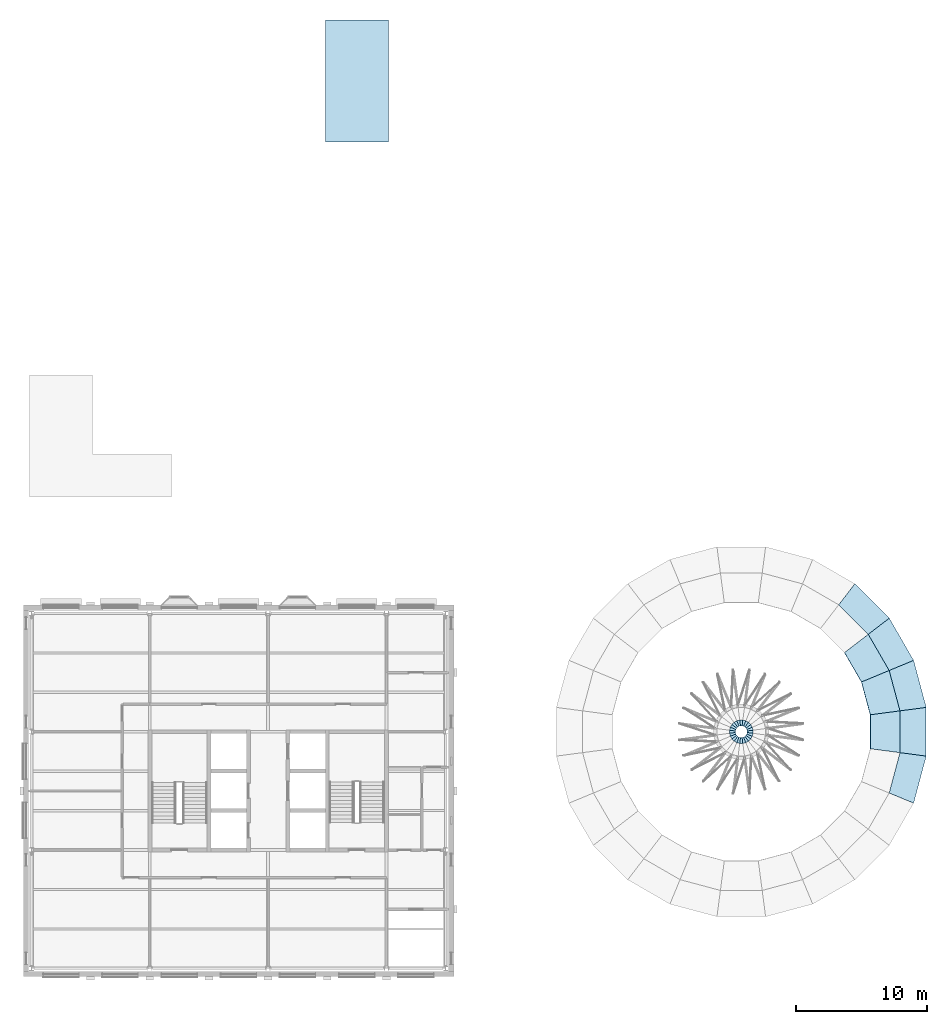
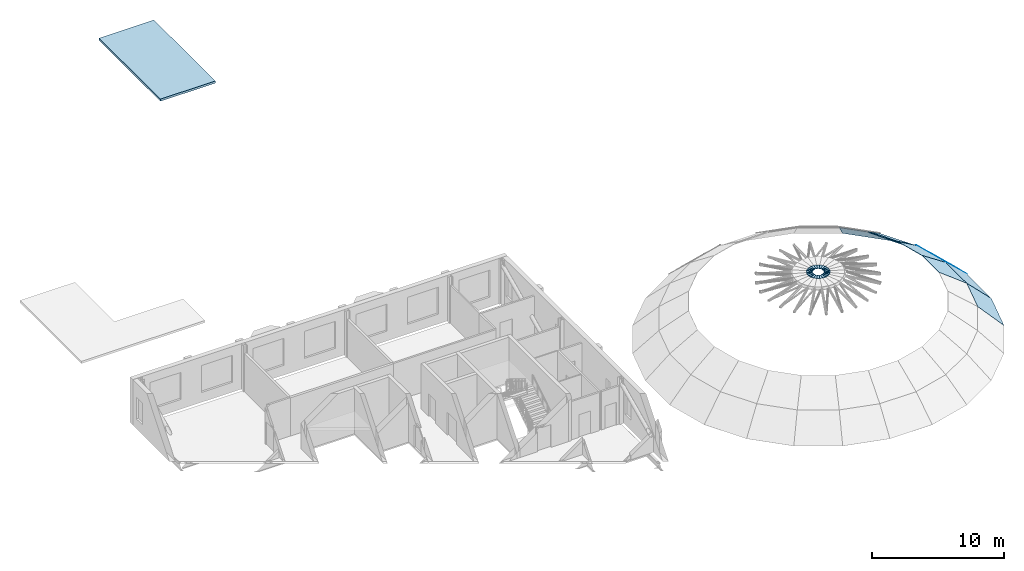
# One storey, part 7 of 15: 32 plates, 1 slab.
"""IFC4 building model written with IfcOpenShell, lengths in metres."""

from ifc_helpers import new_model, si_unit, direction, frame, origin, place, context, subcontext, project, spatial, polyline, outline, extrude, material, layer, layer_set, type_object, element, save


model = new_model("IFC4")

# Units and contexts
model_context = context("Model", 3, precision=1e-05, world=origin(), true_north=direction((0.0, 1.0)))
body_context = subcontext(model_context, "Body", "Model", "MODEL_VIEW")
ifc_project = project(units=[si_unit("LENGTHUNIT", "METRE"), si_unit("AREAUNIT", "SQUARE_METRE"), si_unit("VOLUMEUNIT", "CUBIC_METRE"), si_unit("PLANEANGLEUNIT", "RADIAN"), si_unit("MASSUNIT", "GRAM", prefix="KILO")], contexts=[model_context])

# Site, building, storey
site_placement = place(None, origin())
site = spatial("IfcSite", under=ifc_project, at=site_placement, CompositionType="ELEMENT")
building_placement = place(site_placement, origin())
building = spatial("IfcBuilding", under=site, at=building_placement, Name="Hortulan Conservatory and Botanical Research Centre", CompositionType="ELEMENT")
storey_placement = place(building_placement, frame((0.0, 0.0, 23.39990234375)))
storey = spatial("IfcBuildingStorey", under=building, at=storey_placement, Name="L05", CompositionType="ELEMENT", Elevation=23.39990234375)

# Plates
ifc_material_1 = material(Name="Low-e laminated glass", Category="glass")
ifc_layer_1 = layer(ifc_material_1, 0.030029296875)
ifc_layer_set_1 = layer_set([ifc_layer_1], Name="Dome Glazing Panel 30")
plate_type_1 = type_object("IfcPlateType", Name="Dome Glazing Panel 30", PredefinedType="SHEET", material=ifc_layer_set_1)
plate_1_placement = place(storey_placement, frame((68.0703125, 19.852294921875, -5.60791015625), z_axis=(0.672331337627, 0.180135919613, 0.717998344643), x_axis=(-0.258790491577, 0.96593347669, -8.854813e-06)))
element("IfcPlate", 1, at=plate_1_placement, inside=storey, type_object=plate_type_1, Name="Dome glazing panel", PredefinedType="SHEET", context=body_context, shape_type="SweptSolid", body=[
    extrude(outline(polyline([(0.0, 0.0), (3.704815225036295, 0.0), (3.4418875209705293, 2.7825766798388), (0.263013181871933, 2.782489108197208), (0.0, 0.0)])), origin(), (0.0, 0.0, -1.0), 0.030029296875),
])
plate_2_placement = place(storey_placement, frame((67.111572265625, 23.430908203125, -5.60791015625), z_axis=(0.602781169641, 0.348036569996, 0.718000980132), x_axis=(-0.500022596082, 0.866012357537, 3.27049e-07)))
element("IfcPlate", 2, at=plate_2_placement, inside=storey, type_object=plate_type_1, Name="Dome glazing panel", PredefinedType="SHEET", context=body_context, shape_type="SweptSolid", body=[
    extrude(outline(polyline([(0.0, 0.0), (3.7049086576722163, 0.0), (3.4418321090884456, 2.782542144144782), (0.2632587614988792, 2.7825453784847487), (0.0, 0.0)])), origin(), (0.0, 0.0, -1.0), 0.030029296875),
])
plate_3_placement = place(storey_placement, frame((65.259033203125, 26.639404296875, -5.60791015625), z_axis=(0.492173764936, 0.492173764936, 0.71800415752), x_axis=(-0.707106781187, 0.707106781187, 0.0)))
element("IfcPlate", 3, at=plate_3_placement, inside=storey, type_object=plate_type_1, Name="Dome glazing panel", PredefinedType="SHEET", context=body_context, shape_type="SweptSolid", body=[
    extrude(outline(polyline([(0.0, 0.0), (3.7047147276033474, 0.0), (3.4417939200478997, 2.7825568643450627), (0.26292080755544733, 2.7825568643450627), (0.0, 0.0)])), origin(), (0.0, 0.0, -1.0), 0.030029296875),
])
plate_4_placement = place(storey_placement, frame((67.111572265625, 12.569091796875, -5.60791015625), z_axis=(0.672331337627, -0.180135919613, 0.717998344643), x_axis=(0.258790491577, 0.96593347669, 8.854813e-06)))
element("IfcPlate", 4, at=plate_4_placement, inside=storey, type_object=plate_type_1, Name="Dome glazing panel", PredefinedType="SHEET", context=body_context, shape_type="SweptSolid", body=[
    extrude(outline(polyline([(0.0, 0.0), (3.704815225036295, 0.0), (3.441802043164362, 2.782489108197208), (0.26292770406576554, 2.7825766798388), (0.0, 0.0)])), origin(), (0.0, 0.0, -1.0), 0.030029296875),
])
plate_5_placement = place(storey_placement, frame((68.0703125, 16.147705078125, -5.60791015625), z_axis=(0.696054019377, 0.0, 0.717989416433), x_axis=(0.0, 1.0, 0.0)))
element("IfcPlate", 5, at=plate_5_placement, inside=storey, type_object=plate_type_1, Name="Dome glazing panel", PredefinedType="SHEET", context=body_context, shape_type="SweptSolid", body=[
    extrude(outline(polyline([(0.0, 0.0), (3.70458984375, 0.0), (3.441650390625, 2.7824960767541804), (0.262939453125, 2.7824960767541804), (0.0, 0.0)])), origin(), (0.0, 0.0, -1.0), 0.030029296875),
])
plate_6_placement = place(storey_placement, frame((66.072509765625, 19.58935546875, -3.671142578125), z_axis=(0.563572522042, 0.150989585877, 0.812150329284), x_axis=(-0.258808726506, 0.96592859097, 1.5180425e-05)))
element("IfcPlate", 6, at=plate_6_placement, inside=storey, type_object=plate_type_1, Name="Dome glazing panel", PredefinedType="SHEET", context=body_context, shape_type="SweptSolid", body=[
    extrude(outline(polyline([(0.0, 0.0), (3.1788743400778485, -1.1102230246251565e-16), (2.881593789800004, 2.7792324860638544), (0.29724394981675195, 2.7793824362834103), (0.0, 0.0)])), origin(), (0.0, 0.0, -1.0), 0.030029296875),
])
plate_7_placement = place(storey_placement, frame((65.249755859375, 22.659912109375, -3.671142578125), z_axis=(0.505295568728, 0.291738179215, 0.812136209642), x_axis=(-0.500016746143, 0.866015735142, 7.871061e-06)))
element("IfcPlate", 7, at=plate_7_placement, inside=storey, type_object=plate_type_1, Name="Dome glazing panel", PredefinedType="SHEET", context=body_context, shape_type="SweptSolid", body=[
    extrude(outline(polyline([(0.0, 0.0), (3.1785733474423767, 2.220446049250313e-16), (2.8816179897495964, 2.7791749670922696), (0.29709140353806257, 2.779252712095733), (0.0, 0.0)])), origin(), (0.0, 0.0, -1.0), 0.030029296875),
])
plate_8_placement = place(storey_placement, frame((66.072509765625, 16.41064453125, -3.671142578125), z_axis=(0.583429694249, 0.0, 0.812163648453), x_axis=(0.0, 1.0, 0.0)))
element("IfcPlate", 8, at=plate_8_placement, inside=storey, type_object=plate_type_1, Name="Dome glazing panel", PredefinedType="SHEET", context=body_context, shape_type="SweptSolid", body=[
    extrude(outline(polyline([(0.0, 0.0), (3.1787109375, 0.0), (2.881591796875, 2.7793957819332196), (0.297119140625, 2.7793957819332196), (0.0, 0.0)])), origin(), (0.0, 0.0, -1.0), 0.030029296875),
])
ifc_material_2 = material(Name="Bronze oculus ring plate", Category="metal")
ifc_layer_2 = layer(ifc_material_2, 0.0400390625)
ifc_layer_set_2 = layer_set([ifc_layer_2], Name="Oculus Ring Plate 40")
plate_type_2 = type_object("IfcPlateType", Name="Oculus Ring Plate 40", PredefinedType="SHEET", material=ifc_layer_set_2)
plate_9_placement = place(storey_placement, frame((54.892333984375, 18.117431640625, 0.660400390625), z_axis=(0.0, 0.0, 1.0), x_axis=(-0.258632246261, 0.96597585953, 0.0)))
element("IfcPlate", 9, at=plate_9_placement, inside=storey, type_object=plate_type_2, Name="Oculus ring plate", PredefinedType="SHEET", context=body_context, shape_type="SweptSolid", body=[
    extrude(outline(polyline([(0.0, 0.0), (0.2350480904984219, -6.938893903907228e-18), (0.1760812346768514, 0.44620391958965977), (0.058588760746764126, 0.44632183656470004), (0.0, 0.0)])), origin(), (0.0, 0.0, -1.0), 0.0400390625),
])
plate_10_placement = place(storey_placement, frame((54.83154296875, 18.344482421875, 0.660400390625), z_axis=(0.0, 0.0, 1.0), x_axis=(-0.500052415518, 0.865995139556, 0.0)))
element("IfcPlate", 10, at=plate_10_placement, inside=storey, type_object=plate_type_2, Name="Oculus ring plate", PredefinedType="SHEET", context=body_context, shape_type="SweptSolid", body=[
    extrude(outline(polyline([(0.0, 0.0), (0.23483866286970334, -1.3877787807814457e-17), (0.17622785655156176, 0.44629143051308773), (0.05864177126477235, 0.44624675977040734), (0.0, 0.0)])), origin(), (0.0, 0.0, -1.0), 0.0400390625),
])
plate_11_placement = place(storey_placement, frame((54.714111328125, 18.5478515625, 0.660400390625), z_axis=(0.0, 0.0, 1.0), x_axis=(-0.707106781187, 0.707106781187, 0.0)))
element("IfcPlate", 11, at=plate_11_placement, inside=storey, type_object=plate_type_2, Name="Oculus ring plate", PredefinedType="SHEET", context=body_context, shape_type="SweptSolid", body=[
    extrude(outline(polyline([(0.0, 0.0), (0.2351268154238471, 0.0), (0.17625879482213505, 0.44625757552910783), (0.05886802060171209, 0.4462575755291078), (0.0, 0.0)])), origin(), (0.0, 0.0, -1.0), 0.0400390625),
])
plate_12_placement = place(storey_placement, frame((54.5478515625, 18.714111328125, 0.660400390625), z_axis=(0.0, 0.0, 1.0), x_axis=(-0.865995139556, 0.500052415518, 0.0)))
element("IfcPlate", 12, at=plate_12_placement, inside=storey, type_object=plate_type_2, Name="Oculus ring plate", PredefinedType="SHEET", context=body_context, shape_type="SweptSolid", body=[
    extrude(outline(polyline([(0.0, 0.0), (0.23483866286970334, 1.3877787807814457e-17), (0.17619689160493096, 0.44624675977040734), (0.058610806318141556, 0.44629143051308773), (0.0, 0.0)])), origin(), (0.0, 0.0, -1.0), 0.0400390625),
])
plate_13_placement = place(storey_placement, frame((54.344482421875, 18.83154296875, 0.660400390625), z_axis=(0.0, 0.0, 1.0), x_axis=(-0.96597585953, 0.258632246261, 0.0)))
element("IfcPlate", 13, at=plate_13_placement, inside=storey, type_object=plate_type_2, Name="Oculus ring plate", PredefinedType="SHEET", context=body_context, shape_type="SweptSolid", body=[
    extrude(outline(polyline([(0.0, 0.0), (0.2350480904984219, 6.938893903907228e-18), (0.1764593297516578, 0.44632183656470004), (0.058966855821570505, 0.4462039195896598), (0.0, 0.0)])), origin(), (0.0, 0.0, -1.0), 0.0400390625),
])
plate_14_placement = place(storey_placement, frame((54.117431640625, 18.892333984375, 0.660400390625), z_axis=(0.0, 0.0, 1.0), x_axis=(-1.0, 0.0, 0.0)))
element("IfcPlate", 14, at=plate_14_placement, inside=storey, type_object=plate_type_2, Name="Oculus ring plate", PredefinedType="SHEET", context=body_context, shape_type="SweptSolid", body=[
    extrude(outline(polyline([(0.0, 0.0), (0.23486328125, 0.0), (0.176025390625, 0.4462890625), (0.058837890625, 0.4462890625), (0.0, 0.0)])), origin(), (0.0, 0.0, -1.0), 0.0400390625),
])
plate_15_placement = place(storey_placement, frame((53.882568359375, 18.892333984375, 0.660400390625), z_axis=(0.0, 0.0, 1.0), x_axis=(-0.96597585953, -0.258632246261, 0.0)))
element("IfcPlate", 15, at=plate_15_placement, inside=storey, type_object=plate_type_2, Name="Oculus ring plate", PredefinedType="SHEET", context=body_context, shape_type="SweptSolid", body=[
    extrude(outline(polyline([(0.0, 0.0), (0.2350480904984219, -6.938893903907228e-18), (0.1760812346768514, 0.44620391958965977), (0.058588760746764126, 0.44632183656470004), (0.0, 0.0)])), origin(), (0.0, 0.0, -1.0), 0.0400390625),
])
plate_16_placement = place(storey_placement, frame((53.655517578125, 18.83154296875, 0.660400390625), z_axis=(0.0, 0.0, 1.0), x_axis=(-0.865995139556, -0.500052415518, 0.0)))
element("IfcPlate", 16, at=plate_16_placement, inside=storey, type_object=plate_type_2, Name="Oculus ring plate", PredefinedType="SHEET", context=body_context, shape_type="SweptSolid", body=[
    extrude(outline(polyline([(0.0, 0.0), (0.23483866286970334, -1.3877787807814457e-17), (0.17622785655156176, 0.44629143051308773), (0.05864177126477235, 0.44624675977040734), (0.0, 0.0)])), origin(), (0.0, 0.0, -1.0), 0.0400390625),
])
plate_17_placement = place(storey_placement, frame((53.4521484375, 18.714111328125, 0.660400390625), z_axis=(0.0, 0.0, 1.0), x_axis=(-0.707106781187, -0.707106781187, 0.0)))
element("IfcPlate", 17, at=plate_17_placement, inside=storey, type_object=plate_type_2, Name="Oculus ring plate", PredefinedType="SHEET", context=body_context, shape_type="SweptSolid", body=[
    extrude(outline(polyline([(0.0, 0.0), (0.2351268154238471, 0.0), (0.17625879482213505, 0.44625757552910783), (0.05886802060171209, 0.4462575755291078), (0.0, 0.0)])), origin(), (0.0, 0.0, -1.0), 0.0400390625),
])
plate_18_placement = place(storey_placement, frame((53.285888671875, 18.5478515625, 0.660400390625), z_axis=(0.0, 0.0, 1.0), x_axis=(-0.500052415518, -0.865995139556, 0.0)))
element("IfcPlate", 18, at=plate_18_placement, inside=storey, type_object=plate_type_2, Name="Oculus ring plate", PredefinedType="SHEET", context=body_context, shape_type="SweptSolid", body=[
    extrude(outline(polyline([(0.0, 0.0), (0.23483866286970334, 1.3877787807814457e-17), (0.17619689160493096, 0.44624675977040734), (0.058610806318141556, 0.44629143051308773), (0.0, 0.0)])), origin(), (0.0, 0.0, -1.0), 0.0400390625),
])
plate_19_placement = place(storey_placement, frame((53.16845703125, 18.344482421875, 0.660400390625), z_axis=(0.0, 0.0, 1.0), x_axis=(-0.258632246261, -0.96597585953, 0.0)))
element("IfcPlate", 19, at=plate_19_placement, inside=storey, type_object=plate_type_2, Name="Oculus ring plate", PredefinedType="SHEET", context=body_context, shape_type="SweptSolid", body=[
    extrude(outline(polyline([(0.0, 0.0), (0.2350480904984219, 6.938893903907228e-18), (0.1764593297516578, 0.44632183656470004), (0.058966855821570505, 0.4462039195896598), (0.0, 0.0)])), origin(), (0.0, 0.0, -1.0), 0.0400390625),
])
plate_20_placement = place(storey_placement, frame((53.107666015625, 18.117431640625, 0.660400390625), z_axis=(0.0, 0.0, 1.0), x_axis=(0.0, -1.0, 0.0)))
element("IfcPlate", 20, at=plate_20_placement, inside=storey, type_object=plate_type_2, Name="Oculus ring plate", PredefinedType="SHEET", context=body_context, shape_type="SweptSolid", body=[
    extrude(outline(polyline([(0.0, 0.0), (0.23486328125, 0.0), (0.176025390625, 0.4462890625), (0.058837890625, 0.4462890625), (0.0, 0.0)])), origin(), (0.0, 0.0, -1.0), 0.0400390625),
])
plate_21_placement = place(storey_placement, frame((53.107666015625, 17.882568359375, 0.660400390625), z_axis=(0.0, 0.0, 1.0), x_axis=(0.258632246261, -0.96597585953, 0.0)))
element("IfcPlate", 21, at=plate_21_placement, inside=storey, type_object=plate_type_2, Name="Oculus ring plate", PredefinedType="SHEET", context=body_context, shape_type="SweptSolid", body=[
    extrude(outline(polyline([(0.0, 0.0), (0.2350480904984219, -6.938893903907228e-18), (0.1760812346768514, 0.44620391958965977), (0.058588760746764126, 0.44632183656470004), (0.0, 0.0)])), origin(), (0.0, 0.0, -1.0), 0.0400390625),
])
plate_22_placement = place(storey_placement, frame((53.16845703125, 17.655517578125, 0.660400390625), z_axis=(0.0, 0.0, 1.0), x_axis=(0.500052415518, -0.865995139556, 0.0)))
element("IfcPlate", 22, at=plate_22_placement, inside=storey, type_object=plate_type_2, Name="Oculus ring plate", PredefinedType="SHEET", context=body_context, shape_type="SweptSolid", body=[
    extrude(outline(polyline([(0.0, 0.0), (0.23483866286970334, -1.3877787807814457e-17), (0.17622785655156176, 0.44629143051308773), (0.05864177126477235, 0.44624675977040734), (0.0, 0.0)])), origin(), (0.0, 0.0, -1.0), 0.0400390625),
])
plate_23_placement = place(storey_placement, frame((53.285888671875, 17.4521484375, 0.660400390625), z_axis=(0.0, 0.0, 1.0), x_axis=(0.707106781187, -0.707106781187, 0.0)))
element("IfcPlate", 23, at=plate_23_placement, inside=storey, type_object=plate_type_2, Name="Oculus ring plate", PredefinedType="SHEET", context=body_context, shape_type="SweptSolid", body=[
    extrude(outline(polyline([(0.0, 0.0), (0.2351268154238471, 0.0), (0.17625879482213505, 0.44625757552910783), (0.05886802060171209, 0.4462575755291078), (0.0, 0.0)])), origin(), (0.0, 0.0, -1.0), 0.0400390625),
])
plate_24_placement = place(storey_placement, frame((53.4521484375, 17.285888671875, 0.660400390625), z_axis=(0.0, 0.0, 1.0), x_axis=(0.865995139556, -0.500052415518, 0.0)))
element("IfcPlate", 24, at=plate_24_placement, inside=storey, type_object=plate_type_2, Name="Oculus ring plate", PredefinedType="SHEET", context=body_context, shape_type="SweptSolid", body=[
    extrude(outline(polyline([(0.0, 0.0), (0.23483866286970334, 1.3877787807814457e-17), (0.17619689160493096, 0.44624675977040734), (0.058610806318141556, 0.44629143051308773), (0.0, 0.0)])), origin(), (0.0, 0.0, -1.0), 0.0400390625),
])
plate_25_placement = place(storey_placement, frame((53.655517578125, 17.16845703125, 0.660400390625), z_axis=(0.0, 0.0, 1.0), x_axis=(0.96597585953, -0.258632246261, 0.0)))
element("IfcPlate", 25, at=plate_25_placement, inside=storey, type_object=plate_type_2, Name="Oculus ring plate", PredefinedType="SHEET", context=body_context, shape_type="SweptSolid", body=[
    extrude(outline(polyline([(0.0, 0.0), (0.2350480904984219, 6.938893903907228e-18), (0.1764593297516578, 0.44632183656470004), (0.058966855821570505, 0.4462039195896598), (0.0, 0.0)])), origin(), (0.0, 0.0, -1.0), 0.0400390625),
])
plate_26_placement = place(storey_placement, frame((53.882568359375, 17.107666015625, 0.660400390625), z_axis=(0.0, 0.0, 1.0), x_axis=(1.0, 0.0, 0.0)))
element("IfcPlate", 26, at=plate_26_placement, inside=storey, type_object=plate_type_2, Name="Oculus ring plate", PredefinedType="SHEET", context=body_context, shape_type="SweptSolid", body=[
    extrude(outline(polyline([(0.0, 0.0), (0.23486328125, 0.0), (0.176025390625, 0.4462890625), (0.058837890625, 0.4462890625), (0.0, 0.0)])), origin(), (0.0, 0.0, -1.0), 0.0400390625),
])
plate_27_placement = place(storey_placement, frame((54.117431640625, 17.107666015625, 0.660400390625), z_axis=(0.0, 0.0, 1.0), x_axis=(0.96597585953, 0.258632246261, 0.0)))
element("IfcPlate", 27, at=plate_27_placement, inside=storey, type_object=plate_type_2, Name="Oculus ring plate", PredefinedType="SHEET", context=body_context, shape_type="SweptSolid", body=[
    extrude(outline(polyline([(0.0, 0.0), (0.2350480904984219, -6.938893903907228e-18), (0.1760812346768514, 0.44620391958965977), (0.058588760746764126, 0.44632183656470004), (0.0, 0.0)])), origin(), (0.0, 0.0, -1.0), 0.0400390625),
])
plate_28_placement = place(storey_placement, frame((54.344482421875, 17.16845703125, 0.660400390625), z_axis=(0.0, 0.0, 1.0), x_axis=(0.865995139556, 0.500052415518, 0.0)))
element("IfcPlate", 28, at=plate_28_placement, inside=storey, type_object=plate_type_2, Name="Oculus ring plate", PredefinedType="SHEET", context=body_context, shape_type="SweptSolid", body=[
    extrude(outline(polyline([(0.0, 0.0), (0.23483866286970334, -1.3877787807814457e-17), (0.17622785655156176, 0.44629143051308773), (0.05864177126477235, 0.44624675977040734), (0.0, 0.0)])), origin(), (0.0, 0.0, -1.0), 0.0400390625),
])
plate_29_placement = place(storey_placement, frame((54.5478515625, 17.285888671875, 0.660400390625), z_axis=(0.0, 0.0, 1.0), x_axis=(0.707106781187, 0.707106781187, 0.0)))
element("IfcPlate", 29, at=plate_29_placement, inside=storey, type_object=plate_type_2, Name="Oculus ring plate", PredefinedType="SHEET", context=body_context, shape_type="SweptSolid", body=[
    extrude(outline(polyline([(0.0, 0.0), (0.2351268154238471, 0.0), (0.17625879482213505, 0.44625757552910783), (0.05886802060171209, 0.4462575755291078), (0.0, 0.0)])), origin(), (0.0, 0.0, -1.0), 0.0400390625),
])
plate_30_placement = place(storey_placement, frame((54.714111328125, 17.4521484375, 0.660400390625), z_axis=(0.0, 0.0, 1.0), x_axis=(0.500052415518, 0.865995139556, 0.0)))
element("IfcPlate", 30, at=plate_30_placement, inside=storey, type_object=plate_type_2, Name="Oculus ring plate", PredefinedType="SHEET", context=body_context, shape_type="SweptSolid", body=[
    extrude(outline(polyline([(0.0, 0.0), (0.23483866286970334, 1.3877787807814457e-17), (0.17619689160493096, 0.44624675977040734), (0.058610806318141556, 0.44629143051308773), (0.0, 0.0)])), origin(), (0.0, 0.0, -1.0), 0.0400390625),
])
plate_31_placement = place(storey_placement, frame((54.83154296875, 17.655517578125, 0.660400390625), z_axis=(0.0, 0.0, 1.0), x_axis=(0.258632246261, 0.96597585953, 0.0)))
element("IfcPlate", 31, at=plate_31_placement, inside=storey, type_object=plate_type_2, Name="Oculus ring plate", PredefinedType="SHEET", context=body_context, shape_type="SweptSolid", body=[
    extrude(outline(polyline([(0.0, 0.0), (0.2350480904984219, 6.938893903907228e-18), (0.1764593297516578, 0.44632183656470004), (0.058966855821570505, 0.4462039195896598), (0.0, 0.0)])), origin(), (0.0, 0.0, -1.0), 0.0400390625),
])
plate_32_placement = place(storey_placement, frame((54.892333984375, 17.882568359375, 0.660400390625), z_axis=(0.0, 0.0, 1.0), x_axis=(0.0, 1.0, 0.0)))
element("IfcPlate", 32, at=plate_32_placement, inside=storey, type_object=plate_type_2, Name="Oculus ring plate", PredefinedType="SHEET", context=body_context, shape_type="SweptSolid", body=[
    extrude(outline(polyline([(0.0, 0.0), (0.23486328125, 0.0), (0.176025390625, 0.4462890625), (0.058837890625, 0.4462890625), (0.0, 0.0)])), origin(), (0.0, 0.0, -1.0), 0.0400390625),
])

# Slab
ifc_material_3 = material(Name="Concrete N40 (40 MPa, AS 3600)", Category="concrete")
ifc_layer_3 = layer(ifc_material_3, 0.199951171875)
ifc_layer_set_3 = layer_set([ifc_layer_3], Name="Shaft Head Roof 200")
slab_type = type_object("IfcSlabType", Name="Shaft Head Roof 200", PredefinedType="ROOF", material=ifc_layer_set_3)
slab_placement = place(storey_placement, frame((0.0, 0.0, 0.300048828125)))
element("IfcSlab", 33, at=slab_placement, inside=storey, type_object=slab_type, Name="Roof garden VC19200-2 head roof", PredefinedType="ROOF", context=body_context, shape_type="SweptSolid", body=[
    extrude(outline(polyline([(27.14990234375, 62.85009765625), (22.35009765625, 62.85009765625), (22.35009765625, 72.14990234375), (27.14990234375, 72.14990234375), (27.14990234375, 62.85009765625)])), origin(), (0.0, 0.0, 1.0), 0.199951171875),
])

save(model, "model.ifc")
